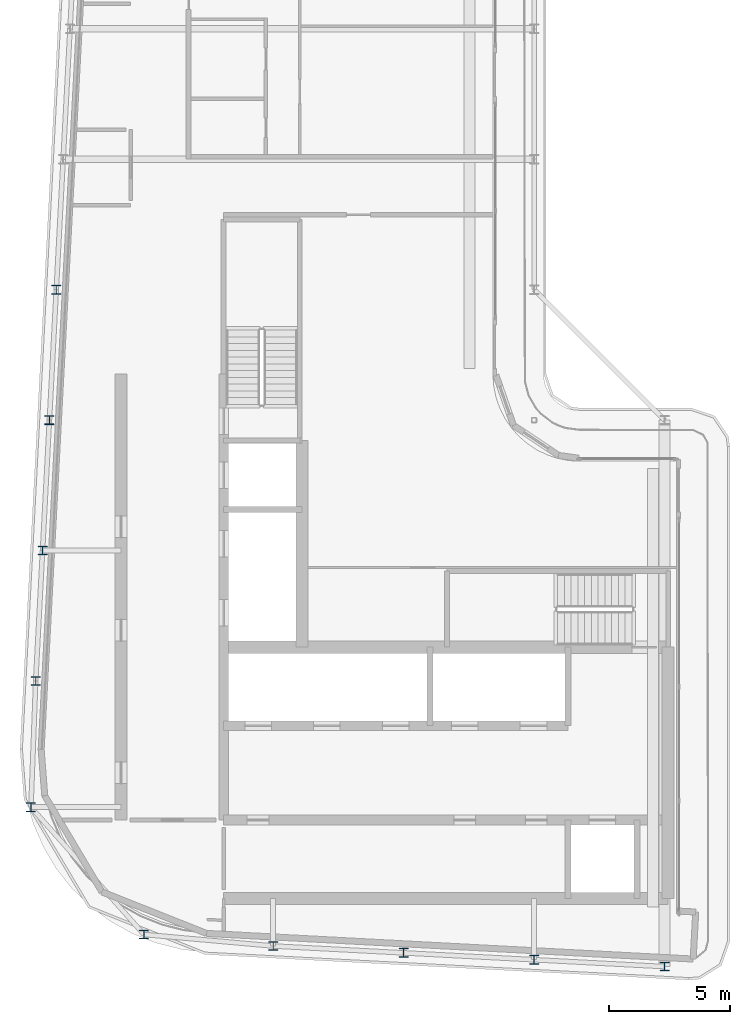
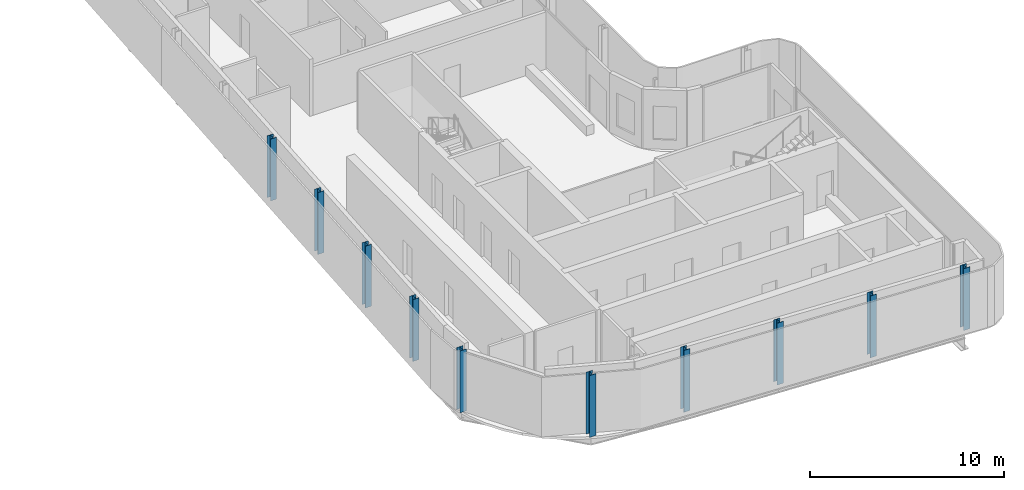
# One storey, part 1 of 19: 10 columns.
"""IFC4 building model written with IfcOpenShell, lengths in metres."""

from ifc_helpers import new_model, si_unit, direction, frame, origin, origin_2d, place, context, subcontext, project, spatial, i_section, extrude, material, material_profile, profile_set, type_object, element, save


model = new_model("IFC4")

# Units and contexts
model_context = context("Model", 3, precision=1e-05, world=origin(), true_north=direction((0.0, 1.0)))
body_context = subcontext(model_context, "Body", "Model", "MODEL_VIEW")
ifc_project = project(units=[si_unit("LENGTHUNIT", "METRE"), si_unit("AREAUNIT", "SQUARE_METRE"), si_unit("VOLUMEUNIT", "CUBIC_METRE"), si_unit("PLANEANGLEUNIT", "RADIAN"), si_unit("MASSUNIT", "GRAM", prefix="KILO")], contexts=[model_context])

# Site, building, storey
site_placement = place(None, origin())
site = spatial("IfcSite", under=ifc_project, at=site_placement, CompositionType="ELEMENT")
building_placement = place(site_placement, origin())
building = spatial("IfcBuilding", under=site, at=building_placement, Name="Kheshtan School and Residences Tower", CompositionType="ELEMENT")
storey_placement = place(building_placement, frame((0.0, 0.0, 357.800048828125)))
storey = spatial("IfcBuildingStorey", under=building, at=storey_placement, Name="L84", CompositionType="ELEMENT", Elevation=357.800048828125)

# Columns
ifc_material = material(Name="Steel ASTM A992 Grade 50", Category="steel")
ifc_material_profile = material_profile(ifc_material, i_section(OverallWidth=0.37109375, OverallDepth=0.364013671875, WebThickness=0.01318359375, FlangeThickness=0.021728515625, FilletRadius=0.010986328125, at=origin_2d()), Name="W360x162")
ifc_profile_set = profile_set([ifc_material_profile], Name="Steel ASTM A992 Grade 50")
column_type = type_object("IfcColumnType", Name="Column C6 W360x162 ASTM A992 Grade 50", PredefinedType="COLUMN", material=ifc_profile_set)
for number, where, z_axis, x_axis, name in (
    (1, (53.0, 22.97998046875, 0.0), (0.0, 0.0, 1.0), (1.0, 0.0, 0.0), "Column C019"),
    (2, (47.60009765625, 23.263916015625, 0.0), (0.0, 0.0, 1.0), (1.0, 0.0, 0.0), "Column C020"),
    (3, (42.199951171875, 23.548095703125, 0.0), (0.0, 0.0, 1.0), (1.0, 0.0, 0.0), "Column C021"),
    (4, (36.800048828125, 23.83203125, 0.0), (0.0, 0.0, 1.0), (1.0, 0.0, 0.0), "Column C022"),
    (5, (31.449951171875, 24.31005859375, 0.0), (0.0, 0.0, 1.0), (1.0, 0.0, 0.0), "Column C035"),
    (6, (26.77294921875, 29.5791015625, 0.0), (0.0, 0.0, 1.0), (1.0, 0.0, 0.0), "Column C047"),
    (7, (26.968994140625, 34.800048828125, 0.0), (0.0, 0.0, 1.0), (1.0, 0.0, 0.0), "Column C052"),
    (8, (27.2529296875, 40.199951171875, 0.0), (0.0, 0.0, 1.0), (1.0, 0.0, 0.0), "Column C056"),
    (9, (27.537109375, 45.60009765625, 0.0), (0.0, 0.0, 1.0), (1.0, 0.0, 0.0), "Column C059"),
    (10, (27.822021484375, 51.0, 0.0), (0.0, 0.0, 1.0), (1.0, 0.0, 0.0), "Column C078"),
):
    element("IfcColumn", number, at=place(storey_placement, frame(where, z_axis=z_axis, x_axis=x_axis)), inside=storey, type_object=column_type, Name=name, PredefinedType="COLUMN", context=body_context, shape_type="SweptSolid", body=[
        extrude(i_section(OverallWidth=0.37109375, OverallDepth=0.364013671875, WebThickness=0.01318359375, FlangeThickness=0.021728515625, FilletRadius=0.010986328125, at=origin_2d()), origin(), (0.0, 0.0, 1.0), 3.89990234375),
    ])

save(model, "model.ifc")
